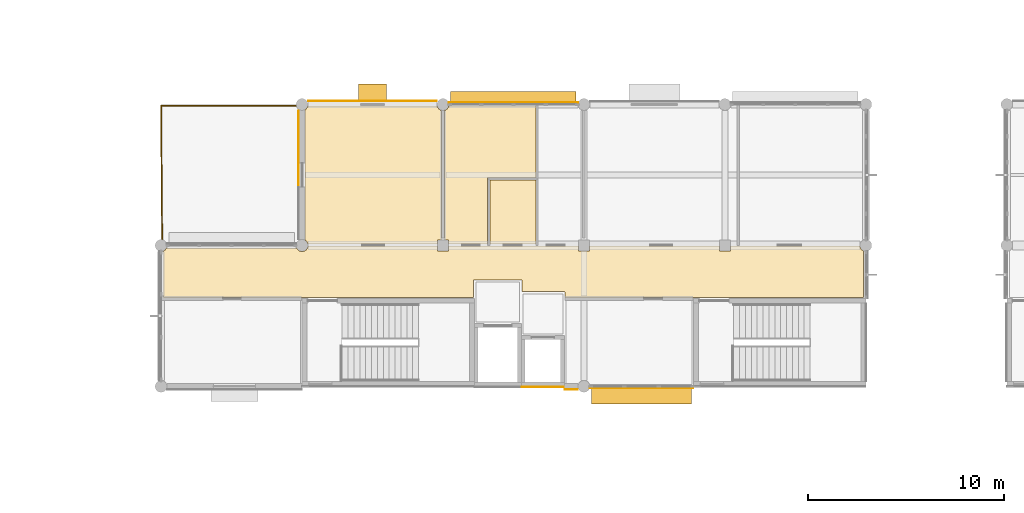
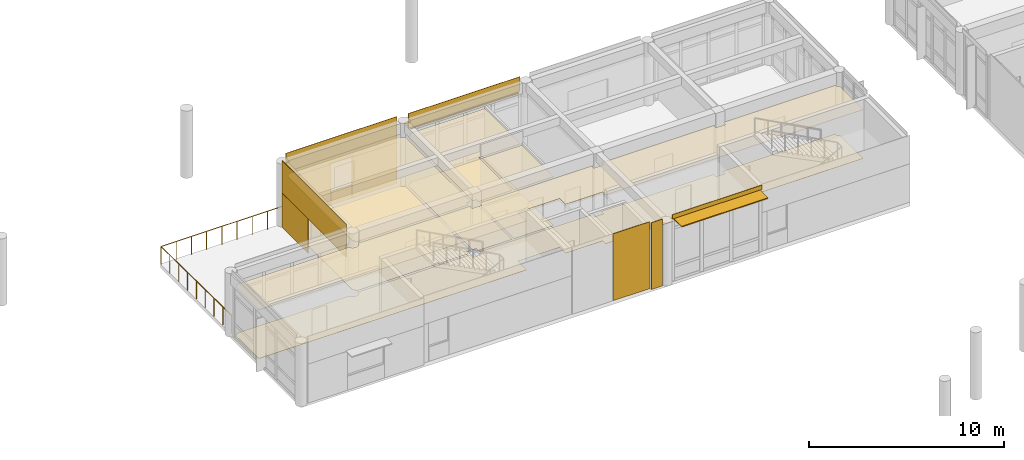
# One storey, part 25 of 29: 18 coverings, 3 shading devices, 1 railing.
"""IFC4 building model written with IfcOpenShell, lengths in metres."""

from ifc_helpers import new_model, si_unit, direction, frame, origin, origin_2d, place, context, subcontext, project, spatial, polyline, rectangle, circle, outline, extrude, material, layer, layer_set, type_object, element, save


model = new_model("IFC4")

# Units and contexts
model_context = context("Model", 3, precision=1e-05, world=origin(), true_north=direction((0.0, 1.0)))
body_context = subcontext(model_context, "Body", "Model", "MODEL_VIEW")
ifc_project = project(units=[si_unit("LENGTHUNIT", "METRE"), si_unit("AREAUNIT", "SQUARE_METRE"), si_unit("VOLUMEUNIT", "CUBIC_METRE"), si_unit("PLANEANGLEUNIT", "RADIAN"), si_unit("MASSUNIT", "GRAM", prefix="KILO")], contexts=[model_context])

# Site, building, storey
site_placement = place(None, origin())
site = spatial("IfcSite", under=ifc_project, at=site_placement, CompositionType="ELEMENT")
building_placement = place(site_placement, origin())
building = spatial("IfcBuilding", under=site, at=building_placement, Name="Namkhue Oval Health Centre", CompositionType="ELEMENT")
storey_placement = place(building_placement, frame((0.0, 0.0, 18.0)))
storey = spatial("IfcBuildingStorey", under=building, at=storey_placement, Name="L04", CompositionType="ELEMENT", Elevation=18.0)

# Coverings
ifc_material_1 = material(Name="Acoustic mineral-fibre cleanroom ceiling", Category="gypsum")
ifc_layer_1 = layer(ifc_material_1, 0.02001953125)
ifc_layer_set_1 = layer_set([ifc_layer_1], Name="Acoustic mineral-fibre cleanroom ceiling")
covering_type_1 = type_object("IfcCoveringType", Name="ACOUSTIC CLEANROOM CEILING 20", PredefinedType="CEILING", material=ifc_layer_set_1)
covering_1_placement = place(storey_placement, frame((0.0, 0.0, 3.050048828125)))
element("IfcCovering", 1, at=covering_1_placement, inside=storey, type_object=covering_type_1, Name="Acoustic Ceiling L04-V2-C1 V2 Clinical Corridor", PredefinedType="CEILING", context=body_context, shape_type="SweptSolid", body=[
    extrude(outline(polyline([(64.514892578125, 97.159912109375), (64.514892578125, 96.9150390625), (65.0849609375, 96.9150390625), (65.0849609375, 97.159912109375), (71.715087890625, 97.159912109375), (71.715087890625, 96.9150390625), (72.284912109375, 96.9150390625), (72.284912109375, 97.159912109375), (78.9150390625, 97.159912109375), (78.9150390625, 96.9150390625), (79.485107421875, 96.9150390625), (79.485107421875, 97.159912109375), (86.09521484375, 97.159912109375), (86.1005859375, 97.119873046875), (86.131591796875, 97.044921875), (86.180908203125, 96.980712890625), (86.2451171875, 96.931396484375), (86.27490234375, 96.919189453125), (86.27490234375, 94.5400390625), (71.0400390625, 94.5400390625), (71.039794921875, 94.803955078125), (71.037109375, 94.815185546875), (71.0283203125, 94.828369140625), (71.015380859375, 94.8369140625), (71.00390625, 94.83984375), (68.840087890625, 94.840087890625), (68.83984375, 95.40380859375), (68.8369140625, 95.415283203125), (68.828369140625, 95.42822265625), (68.815185546875, 95.43701171875), (68.800048828125, 95.43994140625), (66.39990234375, 95.43994140625), (66.384765625, 95.43701171875), (66.36669921875, 95.422119140625), (66.360107421875, 95.39990234375), (66.360107421875, 94.5400390625), (50.52490234375, 94.5400390625), (50.52490234375, 96.919189453125), (50.554931640625, 96.931396484375), (50.619140625, 96.980712890625), (50.66845703125, 97.044921875), (50.680908203125, 97.074951171875), (57.319091796875, 97.074951171875), (57.33154296875, 97.044921875), (57.380859375, 96.980712890625), (57.445068359375, 96.931396484375), (57.519775390625, 96.900634765625), (57.60009765625, 96.889892578125), (57.68017578125, 96.900634765625), (57.7548828125, 96.931396484375), (57.819091796875, 96.980712890625), (57.868408203125, 97.044921875), (57.8994140625, 97.119873046875), (57.90478515625, 97.159912109375), (64.514892578125, 97.159912109375)])), origin(), (0.0, 0.0, 1.0), 0.02001953125),
])
covering_2_placement = place(storey_placement, frame((0.0, 0.0, 3.050048828125)))
element("IfcCovering", 2, at=covering_2_placement, inside=storey, type_object=covering_type_1, Name="Acoustic Ceiling L04-201 Preventive Screening Lounge", PredefinedType="CEILING", context=body_context, shape_type="SweptSolid", body=[
    extrude(outline(polyline([(57.8994140625, 97.280029296875), (57.868408203125, 97.35498046875), (57.819091796875, 97.419189453125), (57.7548828125, 97.468505859375), (57.7548828125, 104.131591796875), (57.819091796875, 104.180908203125), (57.868408203125, 104.2451171875), (57.8974609375, 104.31494140625), (64.50244140625, 104.31494140625), (64.531494140625, 104.2451171875), (64.580810546875, 104.180908203125), (64.64501953125, 104.131591796875), (64.7197265625, 104.1005859375), (64.72998046875, 104.09912109375), (64.72998046875, 97.485107421875), (64.514892578125, 97.485107421875), (64.514892578125, 97.280029296875), (57.8994140625, 97.280029296875)])), origin(), (0.0, 0.0, 1.0), 0.02001953125),
])
covering_3_placement = place(storey_placement, frame((0.0, 0.0, 3.050048828125)))
element("IfcCovering", 3, at=covering_3_placement, inside=storey, type_object=covering_type_1, Name="Acoustic Ceiling L04-202 Screening Specimen Utility Room", PredefinedType="CEILING", context=body_context, shape_type="SweptSolid", body=[
    extrude(outline(polyline([(69.5400390625, 104.31494140625), (69.5400390625, 100.659912109375), (67.080078125, 100.659912109375), (67.080078125, 97.280029296875), (65.0849609375, 97.280029296875), (65.0849609375, 97.485107421875), (64.8701171875, 97.485107421875), (64.8701171875, 104.09912109375), (64.880126953125, 104.1005859375), (64.955078125, 104.131591796875), (65.019287109375, 104.180908203125), (65.068603515625, 104.2451171875), (65.097412109375, 104.31494140625), (69.5400390625, 104.31494140625)])), origin(), (0.0, 0.0, 1.0), 0.02001953125),
])
covering_4_placement = place(storey_placement, frame((0.0, 0.0, 3.050048828125)))
element("IfcCovering", 4, at=covering_4_placement, inside=storey, type_object=covering_type_1, Name="Acoustic Ceiling L04-203 Accessible WC", PredefinedType="CEILING", context=body_context, shape_type="SweptSolid", body=[
    extrude(outline(polyline([(69.5400390625, 100.5400390625), (69.5400390625, 97.280029296875), (67.199951171875, 97.280029296875), (67.199951171875, 100.5400390625), (69.5400390625, 100.5400390625)])), origin(), (0.0, 0.0, 1.0), 0.02001953125),
])
ifc_material_2 = material(Name="Homogeneous anti-bacterial clinical vinyl flooring", Category="plastic")
ifc_layer_2 = layer(ifc_material_2, 0.014892578125)
ifc_layer_set_2 = layer_set([ifc_layer_2], Name="Homogeneous anti-bacterial clinical vinyl flooring")
covering_type_2 = type_object("IfcCoveringType", Name="CLINICAL ANTIBACTERIAL VINYL FLOORING 15", PredefinedType="FLOORING", material=ifc_layer_set_2)
covering_5_placement = place(storey_placement, origin())
element("IfcCovering", 5, at=covering_5_placement, inside=storey, type_object=covering_type_2, Name="Clinical Flooring L04-V2-C1 V2 Clinical Corridor", PredefinedType="FLOORING", context=body_context, shape_type="SweptSolid", body=[
    extrude(outline(polyline([(64.514892578125, 97.159912109375), (64.514892578125, 96.9150390625), (65.0849609375, 96.9150390625), (65.0849609375, 97.159912109375), (71.715087890625, 97.159912109375), (71.715087890625, 96.9150390625), (72.284912109375, 96.9150390625), (72.284912109375, 97.159912109375), (78.9150390625, 97.159912109375), (78.9150390625, 96.9150390625), (79.485107421875, 96.9150390625), (79.485107421875, 97.159912109375), (86.09521484375, 97.159912109375), (86.1005859375, 97.119873046875), (86.131591796875, 97.044921875), (86.180908203125, 96.980712890625), (86.2451171875, 96.931396484375), (86.27490234375, 96.919189453125), (86.27490234375, 94.5400390625), (71.0400390625, 94.5400390625), (71.039794921875, 94.803955078125), (71.037109375, 94.815185546875), (71.0283203125, 94.828369140625), (71.015380859375, 94.8369140625), (71.00390625, 94.83984375), (68.840087890625, 94.840087890625), (68.83984375, 95.40380859375), (68.8369140625, 95.415283203125), (68.828369140625, 95.42822265625), (68.815185546875, 95.43701171875), (68.800048828125, 95.43994140625), (66.39990234375, 95.43994140625), (66.384765625, 95.43701171875), (66.36669921875, 95.422119140625), (66.360107421875, 95.39990234375), (66.360107421875, 94.5400390625), (50.52490234375, 94.5400390625), (50.52490234375, 96.919189453125), (50.554931640625, 96.931396484375), (50.619140625, 96.980712890625), (50.66845703125, 97.044921875), (50.680908203125, 97.074951171875), (57.319091796875, 97.074951171875), (57.33154296875, 97.044921875), (57.380859375, 96.980712890625), (57.445068359375, 96.931396484375), (57.519775390625, 96.900634765625), (57.60009765625, 96.889892578125), (57.68017578125, 96.900634765625), (57.7548828125, 96.931396484375), (57.819091796875, 96.980712890625), (57.868408203125, 97.044921875), (57.8994140625, 97.119873046875), (57.90478515625, 97.159912109375), (64.514892578125, 97.159912109375)])), origin(), (0.0, 0.0, 1.0), 0.014892578125),
])
covering_6_placement = place(storey_placement, origin())
element("IfcCovering", 6, at=covering_6_placement, inside=storey, type_object=covering_type_2, Name="Clinical Flooring L04-201 Preventive Screening Lounge", PredefinedType="FLOORING", context=body_context, shape_type="SweptSolid", body=[
    extrude(outline(polyline([(57.8994140625, 97.280029296875), (57.868408203125, 97.35498046875), (57.819091796875, 97.419189453125), (57.7548828125, 97.468505859375), (57.7548828125, 104.131591796875), (57.819091796875, 104.180908203125), (57.868408203125, 104.2451171875), (57.8974609375, 104.31494140625), (64.50244140625, 104.31494140625), (64.531494140625, 104.2451171875), (64.580810546875, 104.180908203125), (64.64501953125, 104.131591796875), (64.7197265625, 104.1005859375), (64.72998046875, 104.09912109375), (64.72998046875, 97.485107421875), (64.514892578125, 97.485107421875), (64.514892578125, 97.280029296875), (57.8994140625, 97.280029296875)])), origin(), (0.0, 0.0, 1.0), 0.014892578125),
])
covering_7_placement = place(storey_placement, origin())
element("IfcCovering", 7, at=covering_7_placement, inside=storey, type_object=covering_type_2, Name="Clinical Flooring L04-202 Screening Specimen Utility Room", PredefinedType="FLOORING", context=body_context, shape_type="SweptSolid", body=[
    extrude(outline(polyline([(69.5400390625, 104.31494140625), (69.5400390625, 100.659912109375), (67.080078125, 100.659912109375), (67.080078125, 97.280029296875), (65.0849609375, 97.280029296875), (65.0849609375, 97.485107421875), (64.8701171875, 97.485107421875), (64.8701171875, 104.09912109375), (64.880126953125, 104.1005859375), (64.955078125, 104.131591796875), (65.019287109375, 104.180908203125), (65.068603515625, 104.2451171875), (65.097412109375, 104.31494140625), (69.5400390625, 104.31494140625)])), origin(), (0.0, 0.0, 1.0), 0.014892578125),
])
covering_8_placement = place(storey_placement, origin())
element("IfcCovering", 8, at=covering_8_placement, inside=storey, type_object=covering_type_2, Name="Clinical Flooring L04-203 Accessible WC", PredefinedType="FLOORING", context=body_context, shape_type="SweptSolid", body=[
    extrude(outline(polyline([(69.5400390625, 100.5400390625), (69.5400390625, 97.280029296875), (67.199951171875, 97.280029296875), (67.199951171875, 100.5400390625), (69.5400390625, 100.5400390625)])), origin(), (0.0, 0.0, 1.0), 0.014892578125),
])

# Railing
ifc_material_3 = material(Name="Brushed stainless steel 316L balustrade with laminated glass infill", Category="steel")
railing_type = type_object("IfcRailingType", Name="EXTERIOR BALUSTRADE GUARD 1150", PredefinedType="BALUSTRADE", material=ifc_material_3)
railing_placement = place(storey_placement, frame((57.60009765625, 104.340087890625, 0.0)))
element("IfcRailing", 9, at=railing_placement, inside=storey, type_object=railing_type, Name="Volume V2 L04 Terrace Balustrade Guard 1", PredefinedType="BALUSTRADE", context=body_context, shape_type="SweptSolid", body=[
    extrude(circle(Radius=0.02392578125, at=origin_2d()), frame((0.0, 0.0, 1.1259765625), z_axis=(-1.0, 0.0, 0.0), x_axis=(0.0, -1.0, 0.0)), (0.0, 0.0, 1.0), 7.2001953125),
    extrude(circle(Radius=0.02392578125, at=origin_2d()), frame((-7.2001953125, 0.0, 1.1259765625), z_axis=(0.008411109143, -0.999964625996, 0.0), x_axis=(0.999964625996, 0.008411109143, 0.0)), (0.0, 0.0, 1.0), 7.140380859375),
    extrude(circle(Radius=0.02099609375, at=origin_2d()), origin(), (0.0, 0.0, 1.0), 1.101806640625),
    extrude(circle(Radius=0.02099609375, at=origin_2d()), frame((-0.89990234375, 0.0, 0.0)), (0.0, 0.0, 1.0), 1.101806640625),
    extrude(circle(Radius=0.02099609375, at=origin_2d()), frame((-1.800048828125, 0.0, 0.0)), (0.0, 0.0, 1.0), 1.101806640625),
    extrude(circle(Radius=0.02099609375, at=origin_2d()), frame((-2.7001953125, 0.0, 0.0)), (0.0, 0.0, 1.0), 1.101806640625),
    extrude(circle(Radius=0.02099609375, at=origin_2d()), frame((-3.60009765625, 0.0, 0.0)), (0.0, 0.0, 1.0), 1.101806640625),
    extrude(circle(Radius=0.02099609375, at=origin_2d()), frame((-4.5, 0.0, 0.0)), (0.0, 0.0, 1.0), 1.101806640625),
    extrude(circle(Radius=0.02099609375, at=origin_2d()), frame((-5.400146484375, 0.0, 0.0)), (0.0, 0.0, 1.0), 1.101806640625),
    extrude(circle(Radius=0.02099609375, at=origin_2d()), frame((-6.30029296875, 0.0, 0.0)), (0.0, 0.0, 1.0), 1.101806640625),
    extrude(circle(Radius=0.02099609375, at=origin_2d()), frame((-7.2001953125, 0.0, 0.0)), (0.0, 0.0, 1.0), 1.101806640625),
    extrude(circle(Radius=0.02099609375, at=origin_2d()), frame((-7.192626953125, -0.892578125, 0.0)), (0.0, 0.0, 1.0), 1.101806640625),
    extrude(circle(Radius=0.02099609375, at=origin_2d()), frame((-7.18505859375, -1.78515625, 0.0)), (0.0, 0.0, 1.0), 1.101806640625),
    extrude(circle(Radius=0.02099609375, at=origin_2d()), frame((-7.177734375, -2.677490234375, 0.0)), (0.0, 0.0, 1.0), 1.101806640625),
    extrude(circle(Radius=0.02099609375, at=origin_2d()), frame((-7.170166015625, -3.570068359375, 0.0)), (0.0, 0.0, 1.0), 1.101806640625),
    extrude(circle(Radius=0.02099609375, at=origin_2d()), frame((-7.16259765625, -4.462646484375, 0.0)), (0.0, 0.0, 1.0), 1.101806640625),
    extrude(circle(Radius=0.02099609375, at=origin_2d()), frame((-7.1552734375, -5.35498046875, 0.0)), (0.0, 0.0, 1.0), 1.101806640625),
    extrude(circle(Radius=0.02099609375, at=origin_2d()), frame((-7.147705078125, -6.24755859375, 0.0)), (0.0, 0.0, 1.0), 1.101806640625),
    extrude(circle(Radius=0.02099609375, at=origin_2d()), frame((-7.14013671875, -7.14013671875, 0.0)), (0.0, 0.0, 1.0), 1.101806640625),
])

# Shading devices
ifc_material_4 = material(Name="Anodised aluminium EN AW-6063 T6", Category="aluminium")
ifc_layer_3 = layer(ifc_material_4, 0.06005859375)
ifc_layer_set_3 = layer_set([ifc_layer_3], Name="Anodised aluminium EN AW-6063 T6")
shading_device_type_1 = type_object("IfcShadingDeviceType", Name="MONSOON SUN LOUVRE 900", PredefinedType="JALOUSIE", material=ifc_layer_set_3)
shading_device_1_placement = place(storey_placement, frame((74.946533203125, 89.550048828125, 3.869873046875), z_axis=(0.0, 0.0, 1.0), x_axis=(1.0, 0.0, 0.0)))
element("IfcShadingDevice", 10, at=shading_device_1_placement, inside=storey, type_object=shading_device_type_1, Name="Volume V2 L04 Horizontal Monsoon Sun Louvre 100", PredefinedType="JALOUSIE", context=body_context, shape_type="SweptSolid", body=[
    extrude(rectangle(XDim=5.10302734375, YDim=0.89990234375, at=origin_2d()), origin(), (0.0, 0.0, 1.0), 0.06005859375),
])
shading_device_2_placement = place(storey_placement, frame((61.199951171875, 104.9951171875, 2.580078125), z_axis=(0.0, 0.0, 1.0), x_axis=(-1.0, 0.0, 0.0)))
element("IfcShadingDevice", 11, at=shading_device_2_placement, inside=storey, type_object=shading_device_type_1, Name="Volume V2 L04 Window Monsoon Louvre 106", PredefinedType="JALOUSIE", context=body_context, shape_type="SweptSolid", body=[
    extrude(rectangle(XDim=1.43994140625, YDim=0.89990234375, at=origin_2d()), origin(), (0.0, 0.0, 1.0), 0.06005859375),
])
ifc_layer_4 = layer(ifc_material_4, 0.050048828125)
ifc_layer_set_4 = layer_set([ifc_layer_4], Name="Anodised aluminium EN AW-6063 T6")
shading_device_type_2 = type_object("IfcShadingDeviceType", Name="STORM SHUTTER LOUVRE 650", PredefinedType="SHUTTER", material=ifc_layer_set_4)
shading_device_3_placement = place(storey_placement, frame((68.39990234375, 104.72509765625, 3.219970703125), z_axis=(0.0, 0.0, 1.0), x_axis=(-1.0, 0.0, 0.0)))
element("IfcShadingDevice", 12, at=shading_device_3_placement, inside=storey, type_object=shading_device_type_2, Name="Volume V2 L04 Horizontal Monsoon Sun Louvre 105", PredefinedType="SHUTTER", context=body_context, shape_type="SweptSolid", body=[
    extrude(rectangle(XDim=6.409912109375, YDim=0.64990234375, at=origin_2d()), origin(), (0.0, 0.0, 1.0), 0.06005859375),
])

# Coverings
ifc_material_5 = material(Name="White glass-fibre reinforced concrete GRC rainscreen cladding", Category="concrete")
ifc_layer_5 = layer(ifc_material_5, 0.02490234375)
ifc_layer_set_5 = layer_set([ifc_layer_5], Name="White glass-fibre reinforced concrete GRC rainscreen cladding")
covering_type_3 = type_object("IfcCoveringType", Name="WHITE GRC RAINSCREEN CLADDING 25", PredefinedType="CLADDING", material=ifc_layer_set_5)
covering_9_placement = place(storey_placement, frame((71.353515625, 89.843017578125, 0.01025390625), z_axis=(0.0, 0.0, 1.0), x_axis=(1.0, 0.0, 0.0)))
element("IfcCovering", 13, at=covering_9_placement, inside=storey, type_object=covering_type_3, Name="Volume V2 L04 Facade 44 White GRC Cladding 1", PredefinedType="CLADDING", context=body_context, shape_type="SweptSolid", body=[
    extrude(rectangle(XDim=0.6630859375, YDim=0.02490234375, at=origin_2d()), origin(), (0.0, 0.0, 1.0), 4.179931640625),
])
covering_10_placement = place(storey_placement, frame((74.946533203125, 89.91162109375, 3.925048828125), z_axis=(0.0, 0.0, 1.0), x_axis=(1.0, 0.0, 0.0)))
element("IfcCovering", 14, at=covering_10_placement, inside=storey, type_object=covering_type_3, Name="Volume V2 L04 Curtain Wall Spandrel Cladding 78", PredefinedType="CLADDING", context=body_context, shape_type="SweptSolid", body=[
    extrude(rectangle(XDim=5.29296875, YDim=0.02490234375, at=origin_2d()), origin(), (0.0, 0.0, 1.0), 0.27490234375),
])
covering_11_placement = place(storey_placement, frame((68.39990234375, 104.488525390625, 3.27490234375), z_axis=(0.0, 0.0, 1.0), x_axis=(-1.0, 0.0, 0.0)))
element("IfcCovering", 15, at=covering_11_placement, inside=storey, type_object=covering_type_3, Name="Volume V2 L04 Curtain Wall Spandrel Cladding 82", PredefinedType="CLADDING", context=body_context, shape_type="SweptSolid", body=[
    extrude(rectangle(XDim=6.60009765625, YDim=0.02490234375, at=origin_2d()), origin(), (0.0, 0.0, 1.0), 0.925048828125),
])
covering_12_placement = place(storey_placement, frame((61.199951171875, 104.56689453125, 2.5751953125), z_axis=(0.0, 0.0, 1.0), x_axis=(-1.0, 0.0, 0.0)))
element("IfcCovering", 16, at=covering_12_placement, inside=storey, type_object=covering_type_3, Name="Volume V2 L04 Facade 46 White GRC Cladding 1", PredefinedType="CLADDING", context=body_context, shape_type="SweptSolid", body=[
    extrude(rectangle(XDim=6.570068359375, YDim=0.02490234375, at=origin_2d()), origin(), (0.0, 0.0, 1.0), 1.614990234375),
])
covering_13_placement = place(storey_placement, frame((63.14990234375, 104.56689453125, 0.010009765625), z_axis=(0.0, 0.0, 1.0), x_axis=(-1.0, 0.0, 0.0)))
element("IfcCovering", 17, at=covering_13_placement, inside=storey, type_object=covering_type_3, Name="Volume V2 L04 Facade 46 White GRC Cladding 2", PredefinedType="CLADDING", context=body_context, shape_type="SweptSolid", body=[
    extrude(rectangle(XDim=2.669921875, YDim=0.02490234375, at=origin_2d()), origin(), (0.0, 0.0, 1.0), 2.56005859375),
])
covering_14_placement = place(storey_placement, frame((61.199951171875, 104.56689453125, 0.010009765625), z_axis=(0.0, 0.0, 1.0), x_axis=(-1.0, 0.0, 0.0)))
element("IfcCovering", 18, at=covering_14_placement, inside=storey, type_object=covering_type_3, Name="Volume V2 L04 Facade 46 White GRC Cladding 3", PredefinedType="CLADDING", context=body_context, shape_type="SweptSolid", body=[
    extrude(rectangle(XDim=1.219970703125, YDim=0.02490234375, at=origin_2d()), origin(), (0.0, 0.0, 1.0), 0.875),
])
covering_15_placement = place(storey_placement, frame((59.25, 104.56689453125, 0.010009765625), z_axis=(0.0, 0.0, 1.0), x_axis=(-1.0, 0.0, 0.0)))
element("IfcCovering", 19, at=covering_15_placement, inside=storey, type_object=covering_type_3, Name="Volume V2 L04 Facade 46 White GRC Cladding 4", PredefinedType="CLADDING", context=body_context, shape_type="SweptSolid", body=[
    extrude(rectangle(XDim=2.669921875, YDim=0.02490234375, at=origin_2d()), origin(), (0.0, 0.0, 1.0), 2.56005859375),
])
covering_16_placement = place(storey_placement, frame((57.427978515625, 100.800048828125, 2.1650390625), z_axis=(0.0, 0.0, 1.0), x_axis=(0.0, -1.0, 0.0)))
element("IfcCovering", 20, at=covering_16_placement, inside=storey, type_object=covering_type_3, Name="Volume V2 L04 Facade 47 White GRC Cladding 1", PredefinedType="CLADDING", context=body_context, shape_type="SweptSolid", body=[
    extrude(rectangle(XDim=6.570068359375, YDim=0.02490234375, at=origin_2d()), origin(), (0.0, 0.0, 1.0), 2.02490234375),
])
covering_17_placement = place(storey_placement, frame((57.427978515625, 102.7548828125, 0.010009765625), z_axis=(0.0, 0.0, 1.0), x_axis=(0.0, -1.0, 0.0)))
element("IfcCovering", 21, at=covering_17_placement, inside=storey, type_object=covering_type_3, Name="Volume V2 L04 Facade 47 White GRC Cladding 2", PredefinedType="CLADDING", context=body_context, shape_type="SweptSolid", body=[
    extrude(rectangle(XDim=2.659912109375, YDim=0.02490234375, at=origin_2d()), origin(), (0.0, 0.0, 1.0), 2.14990234375),
])
covering_18_placement = place(storey_placement, frame((69.89990234375, 89.962890625, 0.01025390625), z_axis=(0.0, 0.0, 1.0), x_axis=(1.0, 0.0, 0.0)))
element("IfcCovering", 22, at=covering_18_placement, inside=storey, type_object=covering_type_3, Name="Lift LF-02 L04 S White GRC Cladding 1", PredefinedType="CLADDING", context=body_context, shape_type="SweptSolid", body=[
    extrude(rectangle(XDim=2.159912109375, YDim=0.02490234375, at=origin_2d()), origin(), (0.0, 0.0, 1.0), 4.179931640625),
])

save(model, "model.ifc")
